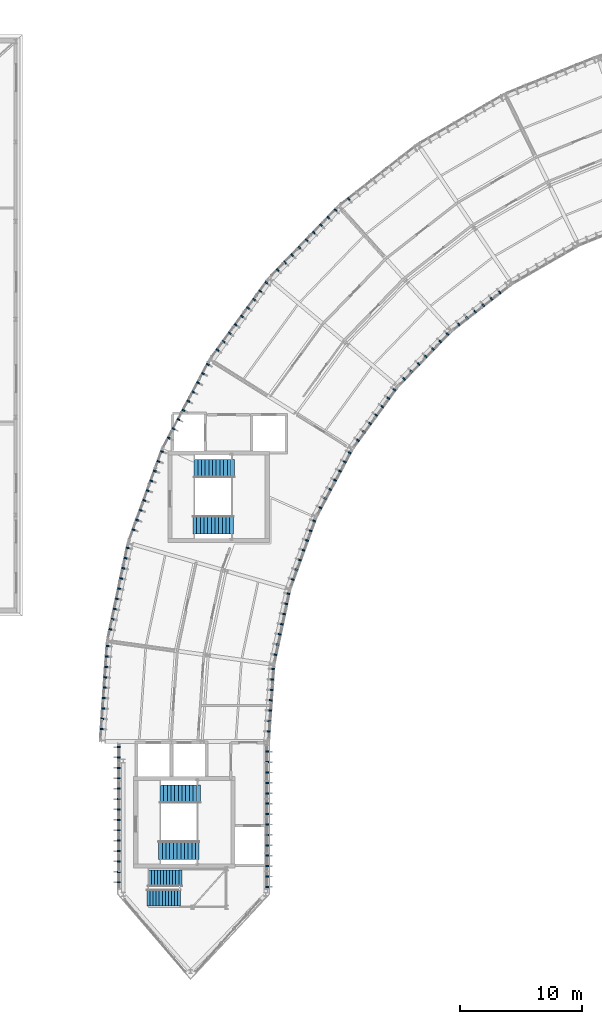
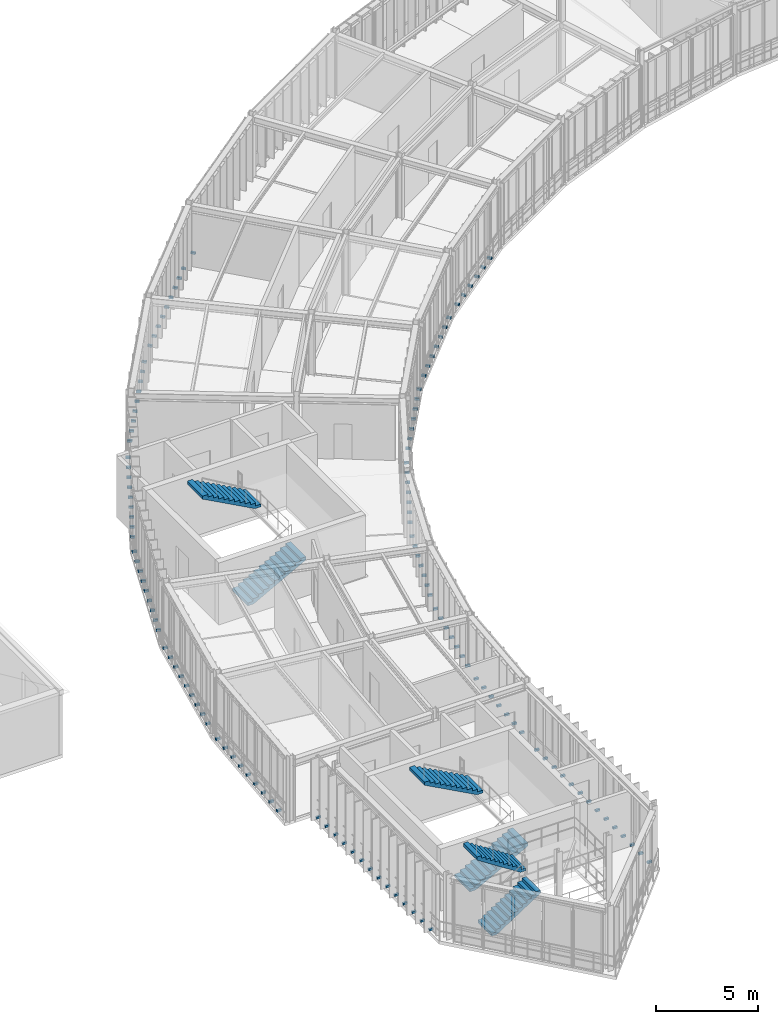
# One storey, part 34 of 42: 131 discrete accessories, 6 stair flights, 3 elements without a shape of their own.
"""IFC4 building model written with IfcOpenShell, lengths in metres."""

from ifc_helpers import new_model, si_unit, direction, frame, origin, origin_2d, place, context, subcontext, project, spatial, polyline, rectangle, outline, extrude, material, type_object, element, aggregate, save


model = new_model("IFC4")

# Units and contexts
model_context = context("Model", 3, precision=1e-05, world=origin(), true_north=direction((0.0, 1.0)))
body_context = subcontext(model_context, "Body", "Model", "MODEL_VIEW")
ifc_project = project(units=[si_unit("LENGTHUNIT", "METRE"), si_unit("AREAUNIT", "SQUARE_METRE"), si_unit("VOLUMEUNIT", "CUBIC_METRE"), si_unit("PLANEANGLEUNIT", "RADIAN"), si_unit("MASSUNIT", "GRAM", prefix="KILO"), si_unit("THERMODYNAMICTEMPERATUREUNIT", "KELVIN"), si_unit("POWERUNIT", "WATT")], contexts=[model_context])

# Site, building, storey
site_placement = place(None, origin())
site = spatial("IfcSite", under=ifc_project, at=site_placement, CompositionType="ELEMENT")
building_placement = place(site_placement, origin())
building = spatial("IfcBuilding", under=site, at=building_placement, Name="Solvatero Civic Police Headquarters", CompositionType="ELEMENT")
storey_placement = place(building_placement, frame((0.0, 0.0, 21.60009765625)))
storey = spatial("IfcBuildingStorey", under=building, at=storey_placement, Name="L05", CompositionType="ELEMENT", Elevation=21.60009765625)

# Stair, stair flights
ifc_material_1 = material(Name="Precast concrete C40/50", Category="concrete")
stair_type_1 = type_object("IfcStairType", Name="STR-C150-390", PredefinedType="HALF_TURN_STAIR", material=ifc_material_1)
stair_1_placement = place(storey_placement, origin())
stair_1 = element("IfcStair", 1, at=stair_1_placement, inside=storey, type_object=stair_type_1, Name="Protected Exit Stair ST-C1 (L05 to L06)", PredefinedType="HALF_TURN_STAIR")
stair_flight_type_1 = type_object("IfcStairFlightType", Name="SFL-STR-C150-390", PredefinedType="STRAIGHT", material=ifc_material_1)
stair_flight_1_placement = place(storey_placement, frame((39.89990234375, 17.10009765625, 0.0), z_axis=(0.0, 0.0, 1.0), x_axis=(1.0, 0.0, 0.0)))
stair_flight_1 = element("IfcStairFlight", 2, at=stair_flight_1_placement, type_object=stair_flight_type_1, Name="ST-C1 L05 Flight 1", NumberOfRisers=12, NumberOfTreads=11, PredefinedType="STRAIGHT", RiserHeight=0.1625, TreadLength=0.3, context=body_context, shape_type="SweptSolid", body=[
    extrude(outline(polyline([(0.0, 0.0), (0.0, 0.16259765625), (0.300048828125, 0.16259765625), (0.300048828125, 0.324951171875), (0.60009765625, 0.324951171875), (0.60009765625, 0.487548828125), (0.89990234375, 0.487548828125), (0.89990234375, 0.64990234375), (1.199951171875, 0.64990234375), (1.199951171875, 0.8125), (1.5, 0.8125), (1.5, 0.97509765625), (1.800048828125, 0.97509765625), (1.800048828125, 1.137451171875), (2.10009765625, 1.137451171875), (2.10009765625, 1.300048828125), (2.39990234375, 1.300048828125), (2.39990234375, 1.46240234375), (2.699951171875, 1.46240234375), (2.699951171875, 1.625), (3.0, 1.625), (3.0, 1.78759765625), (3.300048828125, 1.78759765625), (3.300048828125, 1.949951171875), (3.300048828125, 1.605712890625), (0.335693359375, 0.0), (0.0, 0.0)])), frame((0.0, 0.75, 0.0), z_axis=(0.0, -1.0, 0.0), x_axis=(1.0, 0.0, 0.0)), (0.0, 0.0, 1.0), 1.5),
])
stair_flight_2_placement = place(storey_placement, frame((43.300048828125, 21.699951171875, 1.949951171875), z_axis=(0.0, 0.0, 1.0), x_axis=(-1.0, 0.0, 0.0)))
stair_flight_2 = element("IfcStairFlight", 3, at=stair_flight_2_placement, type_object=stair_flight_type_1, Name="ST-C1 L05 Flight 2", NumberOfRisers=12, NumberOfTreads=11, PredefinedType="STRAIGHT", RiserHeight=0.1625, TreadLength=0.3, context=body_context, shape_type="SweptSolid", body=[
    extrude(outline(polyline([(0.0, 0.0), (0.0, 0.16259765625), (0.300048828125, 0.16259765625), (0.300048828125, 0.324951171875), (0.60009765625, 0.324951171875), (0.60009765625, 0.487548828125), (0.89990234375, 0.487548828125), (0.89990234375, 0.64990234375), (1.199951171875, 0.64990234375), (1.199951171875, 0.8125), (1.5, 0.8125), (1.5, 0.97509765625), (1.800048828125, 0.97509765625), (1.800048828125, 1.137451171875), (2.10009765625, 1.137451171875), (2.10009765625, 1.300048828125), (2.39990234375, 1.300048828125), (2.39990234375, 1.46240234375), (2.699951171875, 1.46240234375), (2.699951171875, 1.625), (3.0, 1.625), (3.0, 1.78759765625), (3.300048828125, 1.78759765625), (3.300048828125, 1.949951171875), (3.300048828125, 1.605712890625), (0.335693359375, 0.0), (0.0, 0.0)])), frame((0.0, 0.75, 0.0), z_axis=(0.0, -1.0, 0.0), x_axis=(1.0, 0.0, 0.0)), (0.0, 0.0, 1.0), 1.5),
])
aggregate(stair_1, [stair_flight_1, stair_flight_2])

stair_2_placement = place(storey_placement, origin())
stair_2 = element("IfcStair", 4, at=stair_2_placement, inside=storey, type_object=stair_type_1, Name="Protected Exit Stair ST-C2 (L05 to L06)", PredefinedType="HALF_TURN_STAIR")
stair_flight_3_placement = place(storey_placement, frame((42.699951171875, 43.699951171875, 0.0), z_axis=(0.0, 0.0, 1.0), x_axis=(1.0, 0.0, 0.0)))
stair_flight_3 = element("IfcStairFlight", 5, at=stair_flight_3_placement, type_object=stair_flight_type_1, Name="ST-C2 L05 Flight 1", NumberOfRisers=12, NumberOfTreads=11, PredefinedType="STRAIGHT", RiserHeight=0.1625, TreadLength=0.3, context=body_context, shape_type="SweptSolid", body=[
    extrude(outline(polyline([(0.0, 0.0), (0.0, 0.16259765625), (0.300048828125, 0.16259765625), (0.300048828125, 0.324951171875), (0.60009765625, 0.324951171875), (0.60009765625, 0.487548828125), (0.89990234375, 0.487548828125), (0.89990234375, 0.64990234375), (1.199951171875, 0.64990234375), (1.199951171875, 0.8125), (1.5, 0.8125), (1.5, 0.97509765625), (1.800048828125, 0.97509765625), (1.800048828125, 1.137451171875), (2.10009765625, 1.137451171875), (2.10009765625, 1.300048828125), (2.39990234375, 1.300048828125), (2.39990234375, 1.46240234375), (2.699951171875, 1.46240234375), (2.699951171875, 1.625), (3.0, 1.625), (3.0, 1.78759765625), (3.300048828125, 1.78759765625), (3.300048828125, 1.949951171875), (3.300048828125, 1.605712890625), (0.335693359375, 0.0), (0.0, 0.0)])), frame((0.0, 0.75, 0.0), z_axis=(0.0, -1.0, 0.0), x_axis=(1.0, 0.0, 0.0)), (0.0, 0.0, 1.0), 1.5),
])
stair_flight_4_placement = place(storey_placement, frame((46.10009765625, 48.300048828125, 1.949951171875), z_axis=(0.0, 0.0, 1.0), x_axis=(-1.0, 0.0, 0.0)))
stair_flight_4 = element("IfcStairFlight", 6, at=stair_flight_4_placement, type_object=stair_flight_type_1, Name="ST-C2 L05 Flight 2", NumberOfRisers=12, NumberOfTreads=11, PredefinedType="STRAIGHT", RiserHeight=0.1625, TreadLength=0.3, context=body_context, shape_type="SweptSolid", body=[
    extrude(outline(polyline([(0.0, 0.0), (0.0, 0.16259765625), (0.300048828125, 0.16259765625), (0.300048828125, 0.324951171875), (0.60009765625, 0.324951171875), (0.60009765625, 0.487548828125), (0.89990234375, 0.487548828125), (0.89990234375, 0.64990234375), (1.199951171875, 0.64990234375), (1.199951171875, 0.8125), (1.5, 0.8125), (1.5, 0.97509765625), (1.800048828125, 0.97509765625), (1.800048828125, 1.137451171875), (2.10009765625, 1.137451171875), (2.10009765625, 1.300048828125), (2.39990234375, 1.300048828125), (2.39990234375, 1.46240234375), (2.699951171875, 1.46240234375), (2.699951171875, 1.625), (3.0, 1.625), (3.0, 1.78759765625), (3.300048828125, 1.78759765625), (3.300048828125, 1.949951171875), (3.300048828125, 1.605712890625), (0.335693359375, 0.0), (0.0, 0.0)])), frame((0.0, 0.75, 0.0), z_axis=(0.0, -1.0, 0.0), x_axis=(1.0, 0.0, 0.0)), (0.0, 0.0, 1.0), 1.5),
])
aggregate(stair_2, [stair_flight_3, stair_flight_4])

stair_type_2 = type_object("IfcStairType", Name="STR-PRW-390", PredefinedType="HALF_TURN_STAIR", material=ifc_material_1)
stair_3_placement = place(storey_placement, origin())
stair_3 = element("IfcStair", 7, at=stair_3_placement, inside=storey, type_object=stair_type_2, Name="Glazed Prow Ceremonial Stair (L05 to L06)", PredefinedType="HALF_TURN_STAIR")
stair_flight_type_2 = type_object("IfcStairFlightType", Name="SFL-STR-PRW-390", PredefinedType="STRAIGHT", material=ifc_material_1)
stair_flight_5_placement = place(storey_placement, frame((38.93994140625, 13.219970703125, 0.0), z_axis=(0.0, 0.0, 1.0), x_axis=(1.0, 0.0, 0.0)))
stair_flight_5 = element("IfcStairFlight", 8, at=stair_flight_5_placement, type_object=stair_flight_type_2, Name="ST-PRW L05 Flight 1", NumberOfRisers=12, NumberOfTreads=11, PredefinedType="STRAIGHT", RiserHeight=0.1625, TreadLength=0.25, context=body_context, shape_type="SweptSolid", body=[
    extrude(outline(polyline([(0.0, 0.0), (0.0, 0.16259765625), (0.25, 0.16259765625), (0.25, 0.324951171875), (0.5, 0.324951171875), (0.5, 0.487548828125), (0.75, 0.487548828125), (0.75, 0.64990234375), (1.0, 0.64990234375), (1.0, 0.8125), (1.25, 0.8125), (1.25, 0.97509765625), (1.5, 0.97509765625), (1.5, 1.137451171875), (1.75, 1.137451171875), (1.75, 1.300048828125), (2.0, 1.300048828125), (2.0, 1.46240234375), (2.25, 1.46240234375), (2.25, 1.625), (2.5, 1.625), (2.5, 1.78759765625), (2.75, 1.78759765625), (2.75, 1.949951171875), (2.75, 1.5966796875), (0.29345703125, 0.0), (0.0, 0.0)])), frame((0.0, 0.68017578125, 0.0), z_axis=(0.0, -1.0, 0.0), x_axis=(1.0, 0.0, 0.0)), (0.0, 0.0, 1.0), 1.360107421875),
])
stair_flight_6_placement = place(storey_placement, frame((41.7900390625, 14.820068359375, 1.949951171875), z_axis=(0.0, 0.0, 1.0), x_axis=(-1.0, 0.0, 0.0)))
stair_flight_6 = element("IfcStairFlight", 9, at=stair_flight_6_placement, type_object=stair_flight_type_2, Name="ST-PRW L05 Flight 2", NumberOfRisers=12, NumberOfTreads=11, PredefinedType="STRAIGHT", RiserHeight=0.1625, TreadLength=0.25, context=body_context, shape_type="SweptSolid", body=[
    extrude(outline(polyline([(0.0, 0.0), (0.0, 0.16259765625), (0.25, 0.16259765625), (0.25, 0.324951171875), (0.5, 0.324951171875), (0.5, 0.487548828125), (0.75, 0.487548828125), (0.75, 0.64990234375), (1.0, 0.64990234375), (1.0, 0.8125), (1.25, 0.8125), (1.25, 0.97509765625), (1.5, 0.97509765625), (1.5, 1.137451171875), (1.75, 1.137451171875), (1.75, 1.300048828125), (2.0, 1.300048828125), (2.0, 1.46240234375), (2.25, 1.46240234375), (2.25, 1.625), (2.5, 1.625), (2.5, 1.78759765625), (2.75, 1.78759765625), (2.75, 1.949951171875), (2.75, 1.5966796875), (0.29345703125, 0.0), (0.0, 0.0)])), frame((0.0, 0.68017578125, 0.0), z_axis=(0.0, -1.0, 0.0), x_axis=(1.0, 0.0, 0.0)), (0.0, 0.0, 1.0), 1.360107421875),
])
aggregate(stair_3, [stair_flight_5, stair_flight_6])

# Discrete accessories
ifc_material_2 = material(Name="Steel S355", Category="steel")
discrete_accessory_type = type_object("IfcDiscreteAccessoryType", Name="ACC-BRK-FIN", PredefinedType="BRACKET", material=ifc_material_2)
for number, where, z_axis, x_axis, name in (
    (10, (55.427001953125, 70.337890625, -0.000244140625), (0.0, 0.0, 1.0), (-0.788010753607, -0.615661475326, 0.0), "Slab-Edge Fin Bracket 1086"),
    (11, (67.77392578125, 62.692138671875, -0.000244140625), (0.0, 0.0, 1.0), (-0.788010753607, -0.615661475326, 0.0), "Slab-Edge Fin Bracket 1088"),
    (12, (67.104248046875, 62.168701171875, -0.000244140625), (0.0, 0.0, 1.0), (-0.788010753607, -0.615661475326, 0.0), "Slab-Edge Fin Bracket 1089"),
    (13, (66.434326171875, 61.6455078125, -0.000244140625), (0.0, 0.0, 1.0), (-0.788010753607, -0.615661475326, 0.0), "Slab-Edge Fin Bracket 1090"),
    (14, (65.7646484375, 61.1220703125, -0.000244140625), (0.0, 0.0, 1.0), (-0.788010753607, -0.615661475326, 0.0), "Slab-Edge Fin Bracket 1091"),
    (15, (65.0947265625, 60.598876953125, -0.000244140625), (0.0, 0.0, 1.0), (-0.788010753607, -0.615661475326, 0.0), "Slab-Edge Fin Bracket 1092"),
    (16, (64.425048828125, 60.075439453125, -0.000244140625), (0.0, 0.0, 1.0), (-0.788010753607, -0.615661475326, 0.0), "Slab-Edge Fin Bracket 1093"),
    (17, (54.348388671875, 69.42236328125, -0.000244140625), (0.0, 0.0, 1.0), (-0.694658370459, -0.719339800339, 0.0), "Slab-Edge Fin Bracket 1094"),
    (18, (53.758056640625, 68.810791015625, -0.000244140625), (0.0, 0.0, 1.0), (-0.694658370459, -0.719339800339, 0.0), "Slab-Edge Fin Bracket 1095"),
    (19, (53.16748046875, 68.199462890625, -0.000244140625), (0.0, 0.0, 1.0), (-0.694658370459, -0.719339800339, 0.0), "Slab-Edge Fin Bracket 1096"),
    (20, (52.5771484375, 67.587890625, -0.000244140625), (0.0, 0.0, 1.0), (-0.694658370459, -0.719339800339, 0.0), "Slab-Edge Fin Bracket 1097"),
    (21, (51.98681640625, 66.9765625, -0.000244140625), (0.0, 0.0, 1.0), (-0.694658370459, -0.719339800339, 0.0), "Slab-Edge Fin Bracket 1098"),
    (22, (51.396240234375, 66.364990234375, -0.000244140625), (0.0, 0.0, 1.0), (-0.694658370459, -0.719339800339, 0.0), "Slab-Edge Fin Bracket 1099"),
    (23, (50.805908203125, 65.753662109375, -0.000244140625), (0.0, 0.0, 1.0), (-0.694658370459, -0.719339800339, 0.0), "Slab-Edge Fin Bracket 1100"),
    (24, (50.21533203125, 65.14208984375, -0.000244140625), (0.0, 0.0, 1.0), (-0.694658370459, -0.719339800339, 0.0), "Slab-Edge Fin Bracket 1101"),
    (25, (49.625, 64.53076171875, -0.000244140625), (0.0, 0.0, 1.0), (-0.694658370459, -0.719339800339, 0.0), "Slab-Edge Fin Bracket 1102"),
    (26, (63.506103515625, 59.289306640625, -0.000244140625), (0.0, 0.0, 1.0), (-0.694658370459, -0.719339800339, 0.0), "Slab-Edge Fin Bracket 1103"),
    (27, (62.91552734375, 58.677734375, -0.000244140625), (0.0, 0.0, 1.0), (-0.694658370459, -0.719339800339, 0.0), "Slab-Edge Fin Bracket 1104"),
    (28, (62.3251953125, 58.06640625, -0.000244140625), (0.0, 0.0, 1.0), (-0.694658370459, -0.719339800339, 0.0), "Slab-Edge Fin Bracket 1105"),
    (29, (61.734619140625, 57.454833984375, -0.000244140625), (0.0, 0.0, 1.0), (-0.694658370459, -0.719339800339, 0.0), "Slab-Edge Fin Bracket 1106"),
    (30, (61.144287109375, 56.843505859375, -0.000244140625), (0.0, 0.0, 1.0), (-0.694658370459, -0.719339800339, 0.0), "Slab-Edge Fin Bracket 1107"),
    (31, (60.5537109375, 56.23193359375, -0.000244140625), (0.0, 0.0, 1.0), (-0.694658370459, -0.719339800339, 0.0), "Slab-Edge Fin Bracket 1108"),
    (32, (59.96337890625, 55.62060546875, -0.000244140625), (0.0, 0.0, 1.0), (-0.694658370459, -0.719339800339, 0.0), "Slab-Edge Fin Bracket 1109"),
    (33, (48.697021484375, 63.489501953125, -0.000244140625), (0.0, 0.0, 1.0), (-0.587785252292, -0.809016994375, 0.0), "Slab-Edge Fin Bracket 1110"),
    (34, (48.197509765625, 62.8017578125, -0.000244140625), (0.0, 0.0, 1.0), (-0.587785252292, -0.809016994375, 0.0), "Slab-Edge Fin Bracket 1111"),
    (35, (47.697998046875, 62.114013671875, -0.000244140625), (0.0, 0.0, 1.0), (-0.587785252292, -0.809016994375, 0.0), "Slab-Edge Fin Bracket 1112"),
    (36, (47.1982421875, 61.426513671875, -0.000244140625), (0.0, 0.0, 1.0), (-0.587785252292, -0.809016994375, 0.0), "Slab-Edge Fin Bracket 1113"),
    (37, (46.698486328125, 60.73876953125, -0.000244140625), (0.0, 0.0, 1.0), (-0.587785252292, -0.809016994375, 0.0), "Slab-Edge Fin Bracket 1114"),
    (38, (46.198974609375, 60.051025390625, -0.000244140625), (0.0, 0.0, 1.0), (-0.587785252292, -0.809016994375, 0.0), "Slab-Edge Fin Bracket 1115"),
    (39, (45.699462890625, 59.36328125, -0.000244140625), (0.0, 0.0, 1.0), (-0.587785252292, -0.809016994375, 0.0), "Slab-Edge Fin Bracket 1116"),
    (40, (45.19970703125, 58.67578125, -0.000244140625), (0.0, 0.0, 1.0), (-0.587785252292, -0.809016994375, 0.0), "Slab-Edge Fin Bracket 1117"),
    (41, (44.7001953125, 57.988037109375, -0.000244140625), (0.0, 0.0, 1.0), (-0.587785252292, -0.809016994375, 0.0), "Slab-Edge Fin Bracket 1118"),
    (42, (59.17578125, 54.7294921875, -0.000244140625), (0.0, 0.0, 1.0), (-0.587785252292, -0.809016994375, 0.0), "Slab-Edge Fin Bracket 1119"),
    (43, (58.67626953125, 54.041748046875, -0.000244140625), (0.0, 0.0, 1.0), (-0.587785252292, -0.809016994375, 0.0), "Slab-Edge Fin Bracket 1120"),
    (44, (58.176513671875, 53.35400390625, -0.000244140625), (0.0, 0.0, 1.0), (-0.587785252292, -0.809016994375, 0.0), "Slab-Edge Fin Bracket 1121"),
    (45, (57.677001953125, 52.66650390625, -0.000244140625), (0.0, 0.0, 1.0), (-0.587785252292, -0.809016994375, 0.0), "Slab-Edge Fin Bracket 1122"),
    (46, (57.17724609375, 51.978759765625, -0.000244140625), (0.0, 0.0, 1.0), (-0.587785252292, -0.809016994375, 0.0), "Slab-Edge Fin Bracket 1123"),
    (47, (56.677734375, 51.291015625, -0.000244140625), (0.0, 0.0, 1.0), (-0.587785252292, -0.809016994375, 0.0), "Slab-Edge Fin Bracket 1124"),
    (48, (56.177978515625, 50.603515625, -0.000244140625), (0.0, 0.0, 1.0), (-0.587785252292, -0.809016994375, 0.0), "Slab-Edge Fin Bracket 1125"),
    (49, (43.915771484375, 56.810791015625, -0.000244140625), (0.0, 0.0, 1.0), (-0.469471562786, -0.882947592859, 0.0), "Slab-Edge Fin Bracket 1126"),
    (50, (43.5166015625, 56.060302734375, -0.000244140625), (0.0, 0.0, 1.0), (-0.469471562786, -0.882947592859, 0.0), "Slab-Edge Fin Bracket 1127"),
    (51, (43.11767578125, 55.309814453125, -0.000244140625), (0.0, 0.0, 1.0), (-0.469471562786, -0.882947592859, 0.0), "Slab-Edge Fin Bracket 1128"),
    (52, (42.718505859375, 54.559326171875, -0.000244140625), (0.0, 0.0, 1.0), (-0.469471562786, -0.882947592859, 0.0), "Slab-Edge Fin Bracket 1129"),
    (53, (42.319580078125, 53.808837890625, -0.000244140625), (0.0, 0.0, 1.0), (-0.469471562786, -0.882947592859, 0.0), "Slab-Edge Fin Bracket 1130"),
    (54, (41.92041015625, 53.058349609375, -0.000244140625), (0.0, 0.0, 1.0), (-0.469471562786, -0.882947592859, 0.0), "Slab-Edge Fin Bracket 1131"),
    (55, (41.521484375, 52.307861328125, -0.000244140625), (0.0, 0.0, 1.0), (-0.469471562786, -0.882947592859, 0.0), "Slab-Edge Fin Bracket 1132"),
    (56, (41.122314453125, 51.557373046875, -0.000244140625), (0.0, 0.0, 1.0), (-0.469471562786, -0.882947592859, 0.0), "Slab-Edge Fin Bracket 1133"),
    (57, (40.723388671875, 50.806884765625, -0.000244140625), (0.0, 0.0, 1.0), (-0.469471562786, -0.882947592859, 0.0), "Slab-Edge Fin Bracket 1134"),
    (58, (55.51171875, 49.594482421875, -0.000244140625), (0.0, 0.0, 1.0), (-0.469486973057, -0.8829393989, 0.0), "Slab-Edge Fin Bracket 1135"),
    (59, (55.112548828125, 48.843994140625, -0.000244140625), (0.0, 0.0, 1.0), (-0.469486973057, -0.8829393989, 0.0), "Slab-Edge Fin Bracket 1136"),
    (60, (54.71337890625, 48.093505859375, -0.000244140625), (0.0, 0.0, 1.0), (-0.469486973057, -0.8829393989, 0.0), "Slab-Edge Fin Bracket 1137"),
    (61, (54.314453125, 47.343017578125, -0.000244140625), (0.0, 0.0, 1.0), (-0.469486973057, -0.8829393989, 0.0), "Slab-Edge Fin Bracket 1138"),
    (62, (53.915283203125, 46.59228515625, -0.000244140625), (0.0, 0.0, 1.0), (-0.469486973057, -0.8829393989, 0.0), "Slab-Edge Fin Bracket 1139"),
    (63, (53.516357421875, 45.841796875, -0.000244140625), (0.0, 0.0, 1.0), (-0.469486973057, -0.8829393989, 0.0), "Slab-Edge Fin Bracket 1140"),
    (64, (53.1171875, 45.09130859375, -0.000244140625), (0.0, 0.0, 1.0), (-0.469486973057, -0.8829393989, 0.0), "Slab-Edge Fin Bracket 1141"),
    (65, (40.16845703125, 49.687255859375, -0.000244140625), (0.0, 0.0, 1.0), (-0.342020143326, -0.939692620786, 0.0), "Slab-Edge Fin Bracket 1142"),
    (66, (39.877685546875, 48.888427734375, -0.000244140625), (0.0, 0.0, 1.0), (-0.342020143326, -0.939692620786, 0.0), "Slab-Edge Fin Bracket 1143"),
    (67, (39.587158203125, 48.08984375, -0.000244140625), (0.0, 0.0, 1.0), (-0.342020143326, -0.939692620786, 0.0), "Slab-Edge Fin Bracket 1144"),
    (68, (39.29638671875, 47.291015625, -0.000244140625), (0.0, 0.0, 1.0), (-0.342020143326, -0.939692620786, 0.0), "Slab-Edge Fin Bracket 1145"),
    (69, (39.005615234375, 46.4921875, -0.000244140625), (0.0, 0.0, 1.0), (-0.342020143326, -0.939692620786, 0.0), "Slab-Edge Fin Bracket 1146"),
    (70, (38.71484375, 45.693603515625, -0.000244140625), (0.0, 0.0, 1.0), (-0.342020143326, -0.939692620786, 0.0), "Slab-Edge Fin Bracket 1147"),
    (71, (38.42431640625, 44.894775390625, -0.000244140625), (0.0, 0.0, 1.0), (-0.342020143326, -0.939692620786, 0.0), "Slab-Edge Fin Bracket 1148"),
    (72, (38.133544921875, 44.09619140625, -0.000244140625), (0.0, 0.0, 1.0), (-0.342020143326, -0.939692620786, 0.0), "Slab-Edge Fin Bracket 1149"),
    (73, (37.8427734375, 43.29736328125, -0.000244140625), (0.0, 0.0, 1.0), (-0.342020143326, -0.939692620786, 0.0), "Slab-Edge Fin Bracket 1150"),
    (74, (52.60595703125, 44.017578125, -0.000244140625), (0.0, 0.0, 1.0), (-0.342020143326, -0.939692620786, 0.0), "Slab-Edge Fin Bracket 1151"),
    (75, (52.315185546875, 43.218994140625, -0.000244140625), (0.0, 0.0, 1.0), (-0.342020143326, -0.939692620786, 0.0), "Slab-Edge Fin Bracket 1152"),
    (76, (52.0244140625, 42.420166015625, -0.000244140625), (0.0, 0.0, 1.0), (-0.342020143326, -0.939692620786, 0.0), "Slab-Edge Fin Bracket 1153"),
    (77, (51.73388671875, 41.621337890625, -0.000244140625), (0.0, 0.0, 1.0), (-0.342020143326, -0.939692620786, 0.0), "Slab-Edge Fin Bracket 1154"),
    (78, (51.443115234375, 40.82275390625, -0.000244140625), (0.0, 0.0, 1.0), (-0.342020143326, -0.939692620786, 0.0), "Slab-Edge Fin Bracket 1155"),
    (79, (51.15234375, 40.02392578125, -0.000244140625), (0.0, 0.0, 1.0), (-0.342020143326, -0.939692620786, 0.0), "Slab-Edge Fin Bracket 1156"),
    (80, (50.86181640625, 39.22509765625, -0.000244140625), (0.0, 0.0, 1.0), (-0.342020143326, -0.939692620786, 0.0), "Slab-Edge Fin Bracket 1157"),
    (81, (37.36328125, 41.812255859375, -0.000244140625), (0.0, 0.0, 1.0), (-0.207911690818, -0.978147600734, 0.0), "Slab-Edge Fin Bracket 1158"),
    (82, (37.1865234375, 40.980712890625, -0.000244140625), (0.0, 0.0, 1.0), (-0.207911690818, -0.978147600734, 0.0), "Slab-Edge Fin Bracket 1159"),
    (83, (37.010009765625, 40.1494140625, -0.000244140625), (0.0, 0.0, 1.0), (-0.207911690818, -0.978147600734, 0.0), "Slab-Edge Fin Bracket 1160"),
    (84, (36.8330078125, 39.31787109375, -0.000244140625), (0.0, 0.0, 1.0), (-0.207911690818, -0.978147600734, 0.0), "Slab-Edge Fin Bracket 1161"),
    (85, (36.656494140625, 38.486572265625, -0.000244140625), (0.0, 0.0, 1.0), (-0.207911690818, -0.978147600734, 0.0), "Slab-Edge Fin Bracket 1162"),
    (86, (36.479736328125, 37.655029296875, -0.000244140625), (0.0, 0.0, 1.0), (-0.207911690818, -0.978147600734, 0.0), "Slab-Edge Fin Bracket 1163"),
    (87, (36.302978515625, 36.823486328125, -0.000244140625), (0.0, 0.0, 1.0), (-0.207911690818, -0.978147600734, 0.0), "Slab-Edge Fin Bracket 1164"),
    (88, (36.126220703125, 35.9921875, -0.000244140625), (0.0, 0.0, 1.0), (-0.207911690818, -0.978147600734, 0.0), "Slab-Edge Fin Bracket 1165"),
    (89, (35.949462890625, 35.160888671875, -0.000244140625), (0.0, 0.0, 1.0), (-0.207911690818, -0.978147600734, 0.0), "Slab-Edge Fin Bracket 1166"),
    (90, (50.4990234375, 38.071533203125, -0.000244140625), (0.0, 0.0, 1.0), (-0.20789461889, -0.978151229328, 0.0), "Slab-Edge Fin Bracket 1167"),
    (91, (50.322509765625, 37.239990234375, -0.000244140625), (0.0, 0.0, 1.0), (-0.20789461889, -0.978151229328, 0.0), "Slab-Edge Fin Bracket 1168"),
    (92, (50.145751953125, 36.40869140625, -0.000244140625), (0.0, 0.0, 1.0), (-0.20789461889, -0.978151229328, 0.0), "Slab-Edge Fin Bracket 1169"),
    (93, (49.968994140625, 35.577392578125, -0.000244140625), (0.0, 0.0, 1.0), (-0.20789461889, -0.978151229328, 0.0), "Slab-Edge Fin Bracket 1170"),
    (94, (49.792236328125, 34.745849609375, -0.000244140625), (0.0, 0.0, 1.0), (-0.20789461889, -0.978151229328, 0.0), "Slab-Edge Fin Bracket 1171"),
    (95, (49.615478515625, 33.914306640625, -0.000244140625), (0.0, 0.0, 1.0), (-0.20789461889, -0.978151229328, 0.0), "Slab-Edge Fin Bracket 1172"),
    (96, (49.438720703125, 33.0830078125, -0.000244140625), (0.0, 0.0, 1.0), (-0.20789461889, -0.978151229328, 0.0), "Slab-Edge Fin Bracket 1173"),
    (97, (35.714599609375, 33.785888671875, -0.000244140625), (0.0, 0.0, 1.0), (-0.069739062956, -0.997565267588, 0.0), "Slab-Edge Fin Bracket 1174"),
    (98, (35.6552734375, 32.93798828125, -0.000244140625), (0.0, 0.0, 1.0), (-0.069739062956, -0.997565267588, 0.0), "Slab-Edge Fin Bracket 1175"),
    (99, (35.595947265625, 32.090087890625, -0.000244140625), (0.0, 0.0, 1.0), (-0.069739062956, -0.997565267588, 0.0), "Slab-Edge Fin Bracket 1176"),
    (100, (35.53662109375, 31.2421875, -0.000244140625), (0.0, 0.0, 1.0), (-0.069739062956, -0.997565267588, 0.0), "Slab-Edge Fin Bracket 1177"),
    (101, (35.477294921875, 30.394287109375, -0.000244140625), (0.0, 0.0, 1.0), (-0.069739062956, -0.997565267588, 0.0), "Slab-Edge Fin Bracket 1178"),
    (102, (35.418212890625, 29.54638671875, -0.000244140625), (0.0, 0.0, 1.0), (-0.069739062956, -0.997565267588, 0.0), "Slab-Edge Fin Bracket 1179"),
    (103, (35.35888671875, 28.698486328125, -0.000244140625), (0.0, 0.0, 1.0), (-0.069739062956, -0.997565267588, 0.0), "Slab-Edge Fin Bracket 1180"),
    (104, (35.299560546875, 27.8505859375, -0.000244140625), (0.0, 0.0, 1.0), (-0.069739062956, -0.997565267588, 0.0), "Slab-Edge Fin Bracket 1181"),
    (105, (35.240234375, 27.002685546875, -0.000244140625), (0.0, 0.0, 1.0), (-0.069739062956, -0.997565267588, 0.0), "Slab-Edge Fin Bracket 1182"),
    (106, (49.2431640625, 31.909912109375, -0.000244140625), (0.0, 0.0, 1.0), (-0.069773884511, -0.997562832628, 0.0), "Slab-Edge Fin Bracket 1183"),
    (107, (49.183837890625, 31.06201171875, -0.000244140625), (0.0, 0.0, 1.0), (-0.069773884511, -0.997562832628, 0.0), "Slab-Edge Fin Bracket 1184"),
    (108, (49.12451171875, 30.214111328125, -0.000244140625), (0.0, 0.0, 1.0), (-0.069773884511, -0.997562832628, 0.0), "Slab-Edge Fin Bracket 1185"),
    (109, (49.065185546875, 29.3662109375, -0.000244140625), (0.0, 0.0, 1.0), (-0.069773884511, -0.997562832628, 0.0), "Slab-Edge Fin Bracket 1186"),
    (110, (49.006103515625, 28.518310546875, -0.000244140625), (0.0, 0.0, 1.0), (-0.069773884511, -0.997562832628, 0.0), "Slab-Edge Fin Bracket 1187"),
    (111, (48.94677734375, 27.670166015625, -0.000244140625), (0.0, 0.0, 1.0), (-0.069773884511, -0.997562832628, 0.0), "Slab-Edge Fin Bracket 1188"),
    (112, (48.887451171875, 26.822265625, -0.000244140625), (0.0, 0.0, 1.0), (-0.069773884511, -0.997562832628, 0.0), "Slab-Edge Fin Bracket 1189"),
    (113, (36.6298828125, 25.5400390625, -0.000244140625), (0.0, 0.0, 1.0), (0.0, -1.0, 0.0), "Slab-Edge Fin Bracket 1190"),
    (114, (36.6298828125, 24.68994140625, -0.000244140625), (0.0, 0.0, 1.0), (0.0, -1.0, 0.0), "Slab-Edge Fin Bracket 1191"),
    (115, (36.6298828125, 23.840087890625, -0.000244140625), (0.0, 0.0, 1.0), (0.0, -1.0, 0.0), "Slab-Edge Fin Bracket 1192"),
    (116, (36.6298828125, 22.989990234375, -0.000244140625), (0.0, 0.0, 1.0), (0.0, -1.0, 0.0), "Slab-Edge Fin Bracket 1193"),
    (117, (36.6298828125, 22.139892578125, -0.000244140625), (0.0, 0.0, 1.0), (0.0, -1.0, 0.0), "Slab-Edge Fin Bracket 1194"),
    (118, (36.6298828125, 21.2900390625, -0.000244140625), (0.0, 0.0, 1.0), (0.0, -1.0, 0.0), "Slab-Edge Fin Bracket 1195"),
    (119, (36.6298828125, 20.43994140625, -0.000244140625), (0.0, 0.0, 1.0), (0.0, -1.0, 0.0), "Slab-Edge Fin Bracket 1196"),
    (120, (36.6298828125, 19.590087890625, -0.000244140625), (0.0, 0.0, 1.0), (0.0, -1.0, 0.0), "Slab-Edge Fin Bracket 1197"),
    (121, (36.6298828125, 18.739990234375, -0.000244140625), (0.0, 0.0, 1.0), (0.0, -1.0, 0.0), "Slab-Edge Fin Bracket 1198"),
    (122, (36.6298828125, 17.889892578125, -0.000244140625), (0.0, 0.0, 1.0), (0.0, -1.0, 0.0), "Slab-Edge Fin Bracket 1199"),
    (123, (36.6298828125, 17.0400390625, -0.000244140625), (0.0, 0.0, 1.0), (0.0, -1.0, 0.0), "Slab-Edge Fin Bracket 1200"),
    (124, (36.6298828125, 16.18994140625, -0.000244140625), (0.0, 0.0, 1.0), (0.0, -1.0, 0.0), "Slab-Edge Fin Bracket 1201"),
    (125, (36.6298828125, 15.340087890625, -0.000244140625), (0.0, 0.0, 1.0), (0.0, -1.0, 0.0), "Slab-Edge Fin Bracket 1202"),
    (126, (36.6298828125, 14.489990234375, -0.000244140625), (0.0, 0.0, 1.0), (0.0, -1.0, 0.0), "Slab-Edge Fin Bracket 1203"),
    (127, (48.77001953125, 14.110107421875, -0.000244140625), (0.0, 0.0, 1.0), (0.0, 1.0, 0.0), "Slab-Edge Fin Bracket 1204"),
    (128, (48.77001953125, 14.9599609375, -0.000244140625), (0.0, 0.0, 1.0), (0.0, 1.0, 0.0), "Slab-Edge Fin Bracket 1205"),
    (129, (48.77001953125, 15.81005859375, -0.000244140625), (0.0, 0.0, 1.0), (0.0, 1.0, 0.0), "Slab-Edge Fin Bracket 1206"),
    (130, (48.77001953125, 16.659912109375, -0.000244140625), (0.0, 0.0, 1.0), (0.0, 1.0, 0.0), "Slab-Edge Fin Bracket 1207"),
    (131, (48.77001953125, 17.510009765625, -0.000244140625), (0.0, 0.0, 1.0), (0.0, 1.0, 0.0), "Slab-Edge Fin Bracket 1208"),
    (132, (48.77001953125, 18.360107421875, -0.000244140625), (0.0, 0.0, 1.0), (0.0, 1.0, 0.0), "Slab-Edge Fin Bracket 1209"),
    (133, (48.77001953125, 19.2099609375, -0.000244140625), (0.0, 0.0, 1.0), (0.0, 1.0, 0.0), "Slab-Edge Fin Bracket 1210"),
    (134, (48.77001953125, 20.06005859375, -0.000244140625), (0.0, 0.0, 1.0), (0.0, 1.0, 0.0), "Slab-Edge Fin Bracket 1211"),
    (135, (48.77001953125, 20.909912109375, -0.000244140625), (0.0, 0.0, 1.0), (0.0, 1.0, 0.0), "Slab-Edge Fin Bracket 1212"),
    (136, (48.77001953125, 21.760009765625, -0.000244140625), (0.0, 0.0, 1.0), (0.0, 1.0, 0.0), "Slab-Edge Fin Bracket 1213"),
    (137, (48.77001953125, 22.610107421875, -0.000244140625), (0.0, 0.0, 1.0), (0.0, 1.0, 0.0), "Slab-Edge Fin Bracket 1214"),
    (138, (48.77001953125, 23.4599609375, -0.000244140625), (0.0, 0.0, 1.0), (0.0, 1.0, 0.0), "Slab-Edge Fin Bracket 1215"),
    (139, (48.77001953125, 24.31005859375, -0.000244140625), (0.0, 0.0, 1.0), (0.0, 1.0, 0.0), "Slab-Edge Fin Bracket 1216"),
    (140, (48.77001953125, 25.159912109375, -0.000244140625), (0.0, 0.0, 1.0), (0.0, 1.0, 0.0), "Slab-Edge Fin Bracket 1217"),
):
    element("IfcDiscreteAccessory", number, at=place(storey_placement, frame(where, z_axis=z_axis, x_axis=x_axis)), inside=storey, type_object=discrete_accessory_type, Name=name, PredefinedType="BRACKET", context=body_context, shape_type="SweptSolid", body=[
        extrude(rectangle(XDim=0.1201171875, YDim=0.239990234375, at=origin_2d()), origin(), (0.0, 0.0, 1.0), 0.1201171875),
    ])

save(model, "model.ifc")
